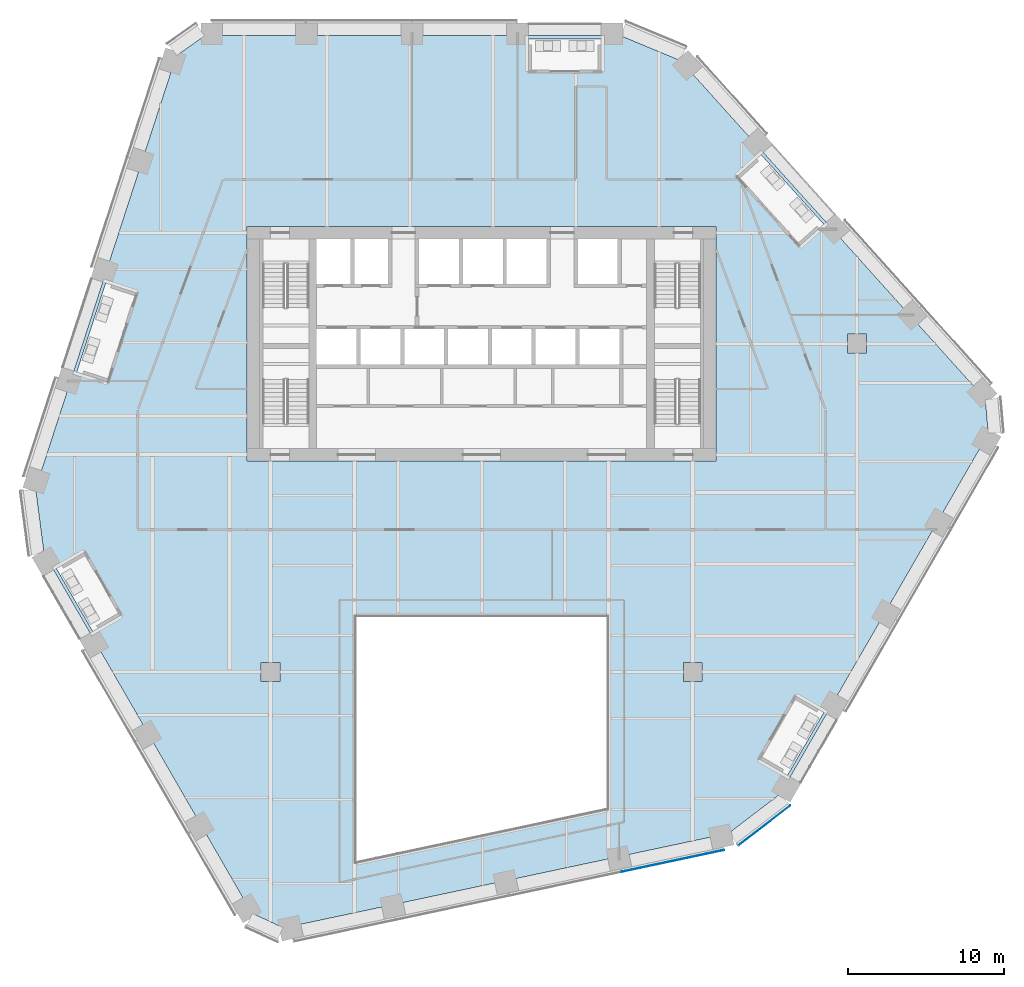
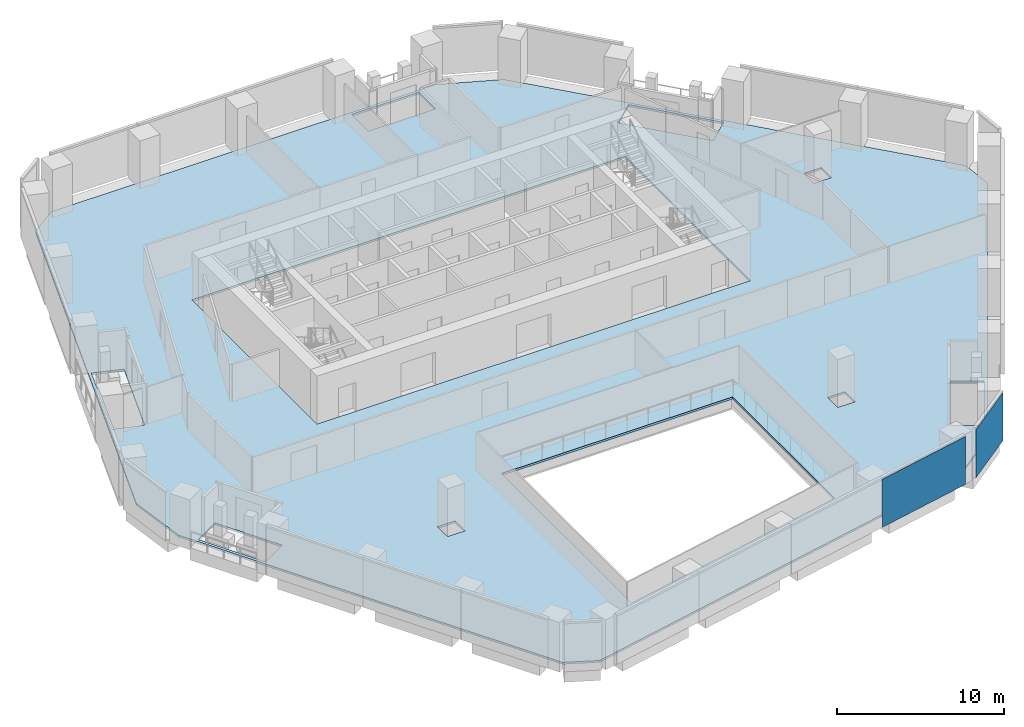
# One storey, part 13 of 24: 2 plates, 1 slab, 2 elements without a shape of their own.
"""IFC4 building model written with IfcOpenShell, lengths in metres."""

from ifc_helpers import new_model, si_unit, direction, frame, origin, origin_2d, place, context, subcontext, project, spatial, polyline, rectangle, outline, extrude, material, layer, layer_set, type_object, element, aggregate, save


model = new_model("IFC4")

# Units and contexts
model_context = context("Model", 3, precision=1e-05, world=origin(), true_north=direction((0.0, 1.0)))
body_context = subcontext(model_context, "Body", "Model", "MODEL_VIEW")
ifc_project = project(units=[si_unit("LENGTHUNIT", "METRE"), si_unit("AREAUNIT", "SQUARE_METRE"), si_unit("VOLUMEUNIT", "CUBIC_METRE"), si_unit("PLANEANGLEUNIT", "RADIAN"), si_unit("MASSUNIT", "GRAM", prefix="KILO")], contexts=[model_context])

# Site, building, storey
site_placement = place(None, origin())
site = spatial("IfcSite", under=ifc_project, at=site_placement, CompositionType="ELEMENT")
building_placement = place(site_placement, origin())
building = spatial("IfcBuilding", under=site, at=building_placement, Name="Isthmus Gate Tower", CompositionType="ELEMENT")
storey_placement = place(building_placement, frame((0.0, 0.0, 159.0)))
storey = spatial("IfcBuildingStorey", under=building, at=storey_placement, Name="L39", CompositionType="ELEMENT", Elevation=159.0)

# Slab
ifc_material_1 = material(Name="Concrete f'c 40 MPa", Category="concrete")
ifc_layer_1 = layer(ifc_material_1, 0.14990234375)
ifc_layer_set_1 = layer_set([ifc_layer_1], Name="COMPOSITE FLOOR SLAB 150")
slab_type = type_object("IfcSlabType", Name="COMPOSITE FLOOR SLAB 150", PredefinedType="FLOOR", material=ifc_layer_set_1)
slab_placement = place(storey_placement, frame((0.0, 0.0, -0.14990234375)))
element("IfcSlab", 1, at=slab_placement, inside=storey, type_object=slab_type, Name="str-slab-L39-1", PredefinedType="FLOOR", context=body_context, shape_type="SweptSolid", body=[
    extrude(outline(polyline([(12.72802734375, 25.599365234375), (32.21044921875, 3.9619140625), (32.410400390625, 1.736083984375), (19.116455078125, -21.289306640625), (15.8056640625, -23.822509765625), (-12.674072265625, -29.876220703125), (-14.701416015625, -28.936279296875), (-27.995361328125, -5.91064453125), (-28.53369140625, -1.77685546875), (-19.536376953125, 25.9140625), (-17.708740234375, 27.199951171875), (8.87890625, 27.199951171875), (12.72802734375, 25.599365234375)]), holes=[polyline([(8.0, -10.0), (-8.0, -10.0), (-8.0, -25.611083984375), (8.0, -22.210205078125), (8.0, -10.0)]), polyline([(20.156494140625, -15.088134765625), (17.831298828125, -19.115234375), (19.5634765625, -20.115234375), (21.888427734375, -16.088134765625), (20.156494140625, -15.088134765625)]), polyline([(-12.89990234375, -12.89990234375), (-14.10009765625, -12.89990234375), (-14.10009765625, -14.10009765625), (-12.89990234375, -14.10009765625), (-12.89990234375, -12.89990234375)]), polyline([(12.89990234375, -14.10009765625), (14.10009765625, -14.10009765625), (14.10009765625, -12.89990234375), (12.89990234375, -12.89990234375), (12.89990234375, -14.10009765625)]), polyline([(-24.876953125, -10.911865234375), (-23.144775390625, -9.911865234375), (-25.469970703125, -5.884765625), (-27.201904296875, -6.884765625), (-24.876953125, -10.911865234375)]), polyline([(-15.0, 15.0), (-15.0, 0.0), (15.0, 0.0), (15.0, 15.0), (-15.0, 15.0)]), polyline([(24.60009765625, 6.89990234375), (24.60009765625, 8.10009765625), (23.39990234375, 8.10009765625), (23.39990234375, 6.89990234375), (24.60009765625, 6.89990234375)]), polyline([(-23.9970703125, 5.06640625), (-22.145751953125, 10.763916015625), (-24.0478515625, 11.382080078125), (-25.899169921875, 5.6845703125), (-23.9970703125, 5.06640625)]), polyline([(17.87255859375, 19.587158203125), (16.38623046875, 18.248779296875), (20.394775390625, 13.796875), (21.881103515625, 15.135009765625), (17.87255859375, 19.587158203125)]), polyline([(2.98828125, 27.0), (2.98828125, 25.0), (7.638671875, 25.0), (7.638671875, 27.0), (2.98828125, 27.0)])]), origin(), (0.0, 0.0, 1.0), 0.14990234375),
])

# Curtain wall, plate
ifc_material_2 = material(Name="Aluminium, pale champagne anodised", Category="aluminium")
ifc_layer_2 = layer(ifc_material_2, 0.199951171875)
ifc_layer_set_2 = layer_set([ifc_layer_2], Name="CW-1 UNITISED CURTAIN WALL 200 DEEP")
curtain_wall_type = type_object("IfcCurtainWallType", Name="CW-1 UNITISED CURTAIN WALL 200 DEEP", PredefinedType="NOTDEFINED", material=ifc_layer_set_2)
curtain_wall_1_placement = place(storey_placement, origin())
curtain_wall_1 = element("IfcCurtainWall", 2, at=curtain_wall_1_placement, inside=storey, type_object=curtain_wall_type, Name="CW-1 S L39", PredefinedType="NOTDEFINED")
ifc_material_3 = material(Name="Laminated low-iron glass, pale blue tint", Category="glass")
ifc_layer_3 = layer(ifc_material_3, 0.035888671875)
ifc_layer_set_3 = layer_set([ifc_layer_3], Name="CW-1 CLEAR GLASS LITE 36")
plate_type = type_object("IfcPlateType", Name="CW-1 CLEAR GLASS LITE 36", PredefinedType="CURTAIN_PANEL", material=ifc_layer_set_3)
plate_1_placement = place(storey_placement, frame((12.2294921875, -25.586669921875, 0.0), z_axis=(0.0, 0.0, 1.0), x_axis=(0.978147600734, 0.207911690818, 0.0)))
plate_1 = element("IfcPlate", 3, at=plate_1_placement, type_object=plate_type, Name="CW-1 glass lite", PredefinedType="CURTAIN_PANEL", context=body_context, shape_type="SweptSolid", body=[
    extrude(rectangle(XDim=6.690673828125, YDim=0.035888671875, at=origin_2d()), origin(), (0.0, 0.0, 1.0), 3.510009765625),
])
aggregate(curtain_wall_1, [plate_1])

curtain_wall_2_placement = place(storey_placement, origin())
curtain_wall_2 = element("IfcCurtainWall", 4, at=curtain_wall_2_placement, inside=storey, type_object=curtain_wall_type, Name="CW-1 S-SE L39", PredefinedType="NOTDEFINED")
plate_2_placement = place(storey_placement, frame((18.08056640625, -23.318359375, 0.0), z_axis=(0.0, 0.0, 1.0), x_axis=(0.794188594387, 0.607671355706, 0.0)))
plate_2 = element("IfcPlate", 5, at=plate_2_placement, type_object=plate_type, Name="CW-1 glass lite", PredefinedType="CURTAIN_PANEL", context=body_context, shape_type="SweptSolid", body=[
    extrude(rectangle(XDim=4.181396484375, YDim=0.035888671875, at=origin_2d()), origin(), (0.0, 0.0, 1.0), 3.510009765625),
])
aggregate(curtain_wall_2, [plate_2])

save(model, "model.ifc")
